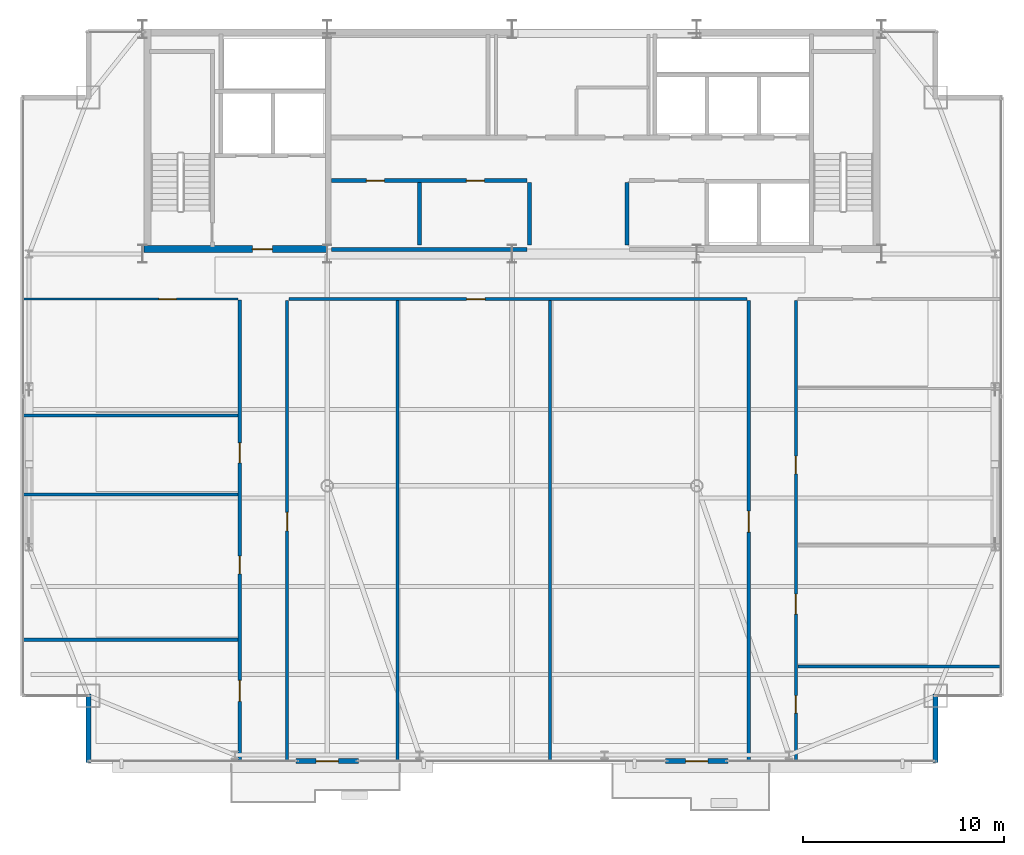
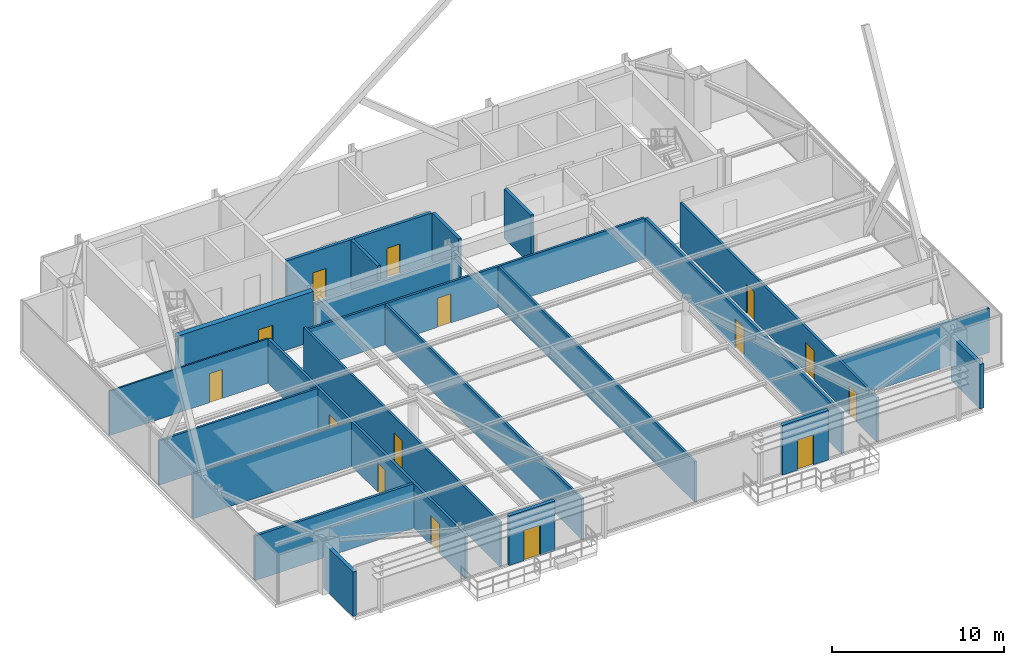
# One storey, part 27 of 31: 22 walls, 15 doors, 15 openings.
"""IFC4 building model written with IfcOpenShell, lengths in metres."""

from ifc_helpers import new_model, si_unit, direction, frame, frame_2d, origin, place, context, subcontext, project, spatial, rectangle, extrude, source, transform, mapped, material, layer, layer_set, type_object, type_shapes, element, fill, save


model = new_model("IFC4")

# Units and contexts
model_context = context("Model", 3, precision=1e-05, world=origin(), true_north=direction((0.0, 1.0)))
body_context = subcontext(model_context, "Body", "Model", "MODEL_VIEW")
ifc_project = project(units=[si_unit("LENGTHUNIT", "METRE"), si_unit("AREAUNIT", "SQUARE_METRE"), si_unit("VOLUMEUNIT", "CUBIC_METRE"), si_unit("PLANEANGLEUNIT", "RADIAN"), si_unit("MASSUNIT", "GRAM", prefix="KILO")], contexts=[model_context])

# Site, building, storey
site_placement = place(None, origin())
site = spatial("IfcSite", under=ifc_project, at=site_placement, CompositionType="ELEMENT")
building_placement = place(site_placement, origin())
building = spatial("IfcBuilding", under=site, at=building_placement, Name="Varnel Quay Broadcast Tower", CompositionType="ELEMENT")
storey_placement = place(building_placement, frame((0.0, 0.0, 215.0)))
storey = spatial("IfcBuildingStorey", under=building, at=storey_placement, Name="L53", CompositionType="ELEMENT", Elevation=215.0)

# Wall, opening, door
ifc_material_1 = material(Name="Concrete CSA A23.3 C50/60", Category="concrete")
ifc_layer_1 = layer(ifc_material_1, 0.35009765625, Name="Concrete CSA A23.3 C50/60")
ifc_layer_set_1 = layer_set([ifc_layer_1], Name="Concrete CSA A23.3 C50/60")
wall_type_1 = type_object("IfcWallType", Name="Wall_CoreShearInt350", PredefinedType="SHEAR", material=ifc_layer_set_1)
wall_1_placement = place(storey_placement, frame((15.669921875, 35.844970703125, 0.0), z_axis=(0.0, 0.0, 1.0), x_axis=(1.0, 0.0, 0.0)))
wall_1 = element("IfcWall", 1, at=wall_1_placement, inside=storey, type_object=wall_type_1, Name="L53 South-West Core Shear Wall", PredefinedType="SHEAR", context=body_context, shape_type="SweptSolid", body=[
    extrude(rectangle(XDim=9.130126953125, YDim=0.35009765625, at=frame_2d((4.56494140625, 0.0))), origin(), (0.0, 0.0, 1.0), 3.550048828125),
])
opening_1_placement = place(wall_1_placement, frame((5.39990234375, 0.0, 0.0)))
opening_1 = element("IfcOpeningElement", 2, at=opening_1_placement, cuts=wall_1, Name="Opening D-L53-FFL", PredefinedType="OPENING", context=body_context, shape_type="SweptSolid", body=[
    extrude(rectangle(XDim=1.0, YDim=2.10009765625, at=frame_2d((0.5, 1.050048828125))), frame((0.0, 0.18505859375, 0.0), z_axis=(0.0, -1.0, 0.0), x_axis=(1.0, 0.0, 0.0)), (0.0, 0.0, 1.0), 0.3701171875),
])
ifc_material_2 = material(Name="Insulated Fire-Rated Hollow Steel Door", Category="steel")
door_type_1 = type_object("IfcDoorType", Name="Door_FireLobby1000", OperationType="NOTDEFINED", PredefinedType="DOOR", material=ifc_material_2)
shared_shape_1 = source(origin(), body_context, "Body", "SweptSolid", [
    extrude(rectangle(XDim=1.0, YDim=2.10009765625, at=frame_2d((0.5, 1.050048828125))), frame((0.0, 0.02490234375, 0.0), z_axis=(0.0, -1.0, 0.0), x_axis=(1.0, 0.0, 0.0)), (0.0, 0.0, 1.0), 0.050048828125),
])
type_shapes(door_type_1, [shared_shape_1])
door_1_placement = place(opening_1_placement, origin())
door_1 = element("IfcDoor", 3, at=door_1_placement, inside=storey, type_object=door_type_1, Name="L53 Firefighting Lobby Door", OperationType="SINGLE_SWING_LEFT", OverallHeight=2.10009765625, OverallWidth=1.0, PredefinedType="DOOR", context=body_context, shape_type="MappedRepresentation", body=[
    mapped(shared_shape_1, transform((0.0, 0.0, 0.0), x_axis=(1.0, 0.0, 0.0), y_axis=(0.0, 1.0, 0.0), z_axis=(0.0, 0.0, 1.0), scale=1.0)),
])
fill(opening_1, door_1)

ifc_material_3 = material(Name="Precast Architectural Concrete C40/50", Category="concrete")
ifc_layer_2 = layer(ifc_material_3, 0.25, Name="Precast Architectural Concrete C40/50")
ifc_layer_set_2 = layer_set([ifc_layer_2], Name="Precast Architectural Concrete C40/50")
wall_type_2 = type_object("IfcWallType", Name="Wall_ExtTerrace250", PredefinedType="SOLIDWALL", material=ifc_layer_set_2)
wall_2_placement = place(storey_placement, frame((23.25, 10.35009765625, 0.0), z_axis=(0.0, 0.0, 1.0), x_axis=(1.0, 0.0, 0.0)))
wall_2 = element("IfcWall", 4, at=wall_2_placement, inside=storey, type_object=wall_type_2, Name="L53 Terrace Access Wall 1", PredefinedType="SOLIDWALL", context=body_context, shape_type="SweptSolid", body=[
    extrude(rectangle(XDim=3.10009765625, YDim=0.25, at=frame_2d((1.550048828125, 0.0))), origin(), (0.0, 0.0, 1.0), 3.530029296875),
])
opening_2_placement = place(wall_2_placement, frame((1.0, 0.0, 0.0)))
opening_2 = element("IfcOpeningElement", 5, at=opening_2_placement, cuts=wall_2, Name="Opening TD-531", PredefinedType="OPENING", context=body_context, shape_type="SweptSolid", body=[
    extrude(rectangle(XDim=1.10009765625, YDim=2.14990234375, at=frame_2d((0.550048828125, 1.074951171875))), frame((0.0, 0.135009765625, 0.0), z_axis=(0.0, -1.0, 0.0), x_axis=(1.0, 0.0, 0.0)), (0.0, 0.0, 1.0), 0.27001953125),
])
ifc_material_4 = material(Name="Anodised Bronze Aluminium 6063-T6", Category="aluminium")
door_type_2 = type_object("IfcDoorType", Name="Door_ExtTerrace1100", OperationType="NOTDEFINED", PredefinedType="DOOR", material=ifc_material_4)
shared_shape_2 = source(origin(), body_context, "Body", "SweptSolid", [
    extrude(rectangle(XDim=1.10009765625, YDim=2.14990234375, at=frame_2d((0.550048828125, 1.074951171875))), frame((0.0, 0.02490234375, 0.0), z_axis=(0.0, -1.0, 0.0), x_axis=(1.0, 0.0, 0.0)), (0.0, 0.0, 1.0), 0.050048828125),
])
type_shapes(door_type_2, [shared_shape_2])
door_2_placement = place(opening_2_placement, frame((1.10009765625, 0.0, 0.0), z_axis=(0.0, 0.0, 1.0), x_axis=(-1.0, 0.0, 0.0)))
door_2 = element("IfcDoor", 6, at=door_2_placement, inside=storey, type_object=door_type_2, Name="L53 Terrace Door TD-531", OperationType="SINGLE_SWING_LEFT", OverallHeight=2.14990234375, OverallWidth=1.10009765625, PredefinedType="DOOR", context=body_context, shape_type="MappedRepresentation", body=[
    mapped(shared_shape_2, transform((0.0, 0.0, 0.0), x_axis=(1.0, 0.0, 0.0), y_axis=(0.0, 1.0, 0.0), z_axis=(0.0, 0.0, 1.0), scale=1.0)),
])
fill(opening_2, door_2)

wall_3_placement = place(storey_placement, frame((41.64990234375, 10.35009765625, 0.0), z_axis=(0.0, 0.0, 1.0), x_axis=(1.0, 0.0, 0.0)))
wall_3 = element("IfcWall", 7, at=wall_3_placement, inside=storey, type_object=wall_type_2, Name="L53 Terrace Access Wall 2", PredefinedType="SOLIDWALL", context=body_context, shape_type="SweptSolid", body=[
    extrude(rectangle(XDim=3.10009765625, YDim=0.25, at=frame_2d((1.550048828125, 0.0))), origin(), (0.0, 0.0, 1.0), 3.530029296875),
])
opening_3_placement = place(wall_3_placement, frame((1.0, 0.0, 0.0)))
opening_3 = element("IfcOpeningElement", 8, at=opening_3_placement, cuts=wall_3, Name="Opening TD-532", PredefinedType="OPENING", context=body_context, shape_type="SweptSolid", body=[
    extrude(rectangle(XDim=1.10009765625, YDim=2.14990234375, at=frame_2d((0.550048828125, 1.074951171875))), frame((0.0, 0.135009765625, 0.0), z_axis=(0.0, -1.0, 0.0), x_axis=(1.0, 0.0, 0.0)), (0.0, 0.0, 1.0), 0.27001953125),
])
door_3_placement = place(opening_3_placement, frame((1.10009765625, 0.0, 0.0), z_axis=(0.0, 0.0, 1.0), x_axis=(-1.0, 0.0, 0.0)))
door_3 = element("IfcDoor", 9, at=door_3_placement, inside=storey, type_object=door_type_2, Name="L53 Terrace Door TD-532", OperationType="SINGLE_SWING_RIGHT", OverallHeight=2.14990234375, OverallWidth=1.10009765625, PredefinedType="DOOR", context=body_context, shape_type="MappedRepresentation", body=[
    mapped(shared_shape_2, transform((0.0, 0.0, 0.0), x_axis=(1.0, 0.0, 0.0), y_axis=(0.0, 1.0, 0.0), z_axis=(0.0, 0.0, 1.0), scale=1.0)),
])
fill(opening_3, door_3)

# Walls
for number, where, z_axis, x_axis, name in (
    (10, (12.89990234375, 10.280029296875, 0.0), (0.0, 0.0, 1.0), (0.0, 1.0, 0.0), "L53 Mega-Column Notch Cladding Wall NSW2"),
    (11, (55.10009765625, 10.280029296875, 0.0), (0.0, 0.0, 1.0), (0.0, 1.0, 0.0), "L53 Mega-Column Notch Cladding Wall NSE2"),
):
    element("IfcWall", number, at=place(storey_placement, frame(where, z_axis=z_axis, x_axis=x_axis)), inside=storey, type_object=wall_type_2, Name=name, PredefinedType="SOLIDWALL", context=body_context, shape_type="SweptSolid", body=[
        extrude(rectangle(XDim=3.39990234375, YDim=0.25, at=frame_2d((1.699951171875, 0.0))), origin(), (0.0, 0.0, 1.0), 3.1708984375),
    ])
ifc_material_5 = material(Name="Concrete Blockwork Fire Enclosure C40/50", Category="masonry")
ifc_layer_3 = layer(ifc_material_5, 0.199951171875, Name="Concrete Blockwork Fire Enclosure C40/50")
ifc_layer_set_3 = layer_set([ifc_layer_3], Name="Concrete Blockwork Fire Enclosure C40/50")
wall_type_3 = type_object("IfcWallType", Name="Wall_FireShaft200", PredefinedType="SOLIDWALL", material=ifc_layer_set_3)
wall_4_placement = place(storey_placement, frame((39.72509765625, 36.050048828125, 0.0), z_axis=(0.0, 0.0, 1.0), x_axis=(0.0, 1.0, 0.0)))
element("IfcWall", 12, at=wall_4_placement, inside=storey, type_object=wall_type_3, Name="L53 Electrical Sub-Distribution Closet Partition 7", PredefinedType="SOLIDWALL", context=body_context, shape_type="SweptSolid", body=[
    extrude(rectangle(XDim=3.099853515625, YDim=0.199951171875, at=frame_2d((1.5498046875, 0.0))), origin(), (0.0, 0.0, 1.0), 3.530029296875),
])

# Wall, opening, door
ifc_material_6 = material(Name="Steel-Stud Fire-Rated Acoustic Gypsum Partition Assembly", Category="steel")
ifc_layer_4 = layer(ifc_material_6, 0.10498046875, Name="Steel-Stud Fire-Rated Acoustic Gypsum Partition Assembly")
ifc_layer_set_4 = layer_set([ifc_layer_4], Name="Steel-Stud Fire-Rated Acoustic Gypsum Partition Assembly")
wall_type_4 = type_object("IfcWallType", Name="Wall_Partition105", PredefinedType="PARTITIONING", material=ifc_layer_set_4)
wall_5_placement = place(storey_placement, frame((9.679931640625, 33.35009765625, 0.0), z_axis=(0.0, 0.0, 1.0), x_axis=(1.0, 0.0, 0.0)))
wall_5 = element("IfcWall", 13, at=wall_5_placement, inside=storey, type_object=wall_type_4, Name="L53 Camera Locker Store 4 Partition 12", PredefinedType="PARTITIONING", context=body_context, shape_type="SweptSolid", body=[
    extrude(rectangle(XDim=10.670166015625, YDim=0.10498046875, at=frame_2d((5.3349609375, 0.0))), origin(), (0.0, 0.0, 1.0), 3.1708984375),
])
opening_4_placement = place(wall_5_placement, frame((6.72998046875, 0.0, 0.0)))
opening_4 = element("IfcOpeningElement", 14, at=opening_4_placement, cuts=wall_5, Name="Opening D-L53-07", PredefinedType="OPENING", context=body_context, shape_type="SweptSolid", body=[
    extrude(rectangle(XDim=0.8798828125, YDim=2.06005859375, at=frame_2d((0.43994140625, 1.030029296875))), frame((0.0, 0.0625, 0.0), z_axis=(0.0, -1.0, 0.0), x_axis=(1.0, 0.0, 0.0)), (0.0, 0.0, 1.0), 0.125),
])
ifc_material_7 = material(Name="Solid-Core Fire-Rated Acoustic Oak Veneer Door", Category="wood")
door_type_3 = type_object("IfcDoorType", Name="Door_Booth880", OperationType="NOTDEFINED", PredefinedType="DOOR", material=ifc_material_7)
shared_shape_3 = source(origin(), body_context, "Body", "SweptSolid", [
    extrude(rectangle(XDim=0.8798828125, YDim=2.06005859375, at=frame_2d((0.43994140625, 1.030029296875))), frame((0.0, 0.02490234375, 0.0), z_axis=(0.0, -1.0, 0.0), x_axis=(1.0, 0.0, 0.0)), (0.0, 0.0, 1.0), 0.050048828125),
])
type_shapes(door_type_3, [shared_shape_3])
door_4_placement = place(opening_4_placement, frame((0.8798828125, 0.0, 0.0), z_axis=(0.0, 0.0, 1.0), x_axis=(-1.0, 0.0, 0.0)))
door_4 = element("IfcDoor", 15, at=door_4_placement, inside=storey, type_object=door_type_3, Name="L53 Camera Locker Store 4 Door D-L53-07", OperationType="SINGLE_SWING_RIGHT", OverallHeight=2.06005859375, OverallWidth=0.8798828125, PredefinedType="DOOR", context=body_context, shape_type="MappedRepresentation", body=[
    mapped(shared_shape_3, transform((0.0, 0.0, 0.0), x_axis=(1.0, 0.0, 0.0), y_axis=(0.0, 1.0, 0.0), z_axis=(0.0, 0.0, 1.0), scale=1.0)),
])
fill(opening_4, door_4)

# Walls
ifc_layer_5 = layer(ifc_material_6, 0.139892578125, Name="Steel-Stud Fire-Rated Acoustic Gypsum Partition Assembly")
ifc_layer_set_5 = layer_set([ifc_layer_5], Name="Steel-Stud Fire-Rated Acoustic Gypsum Partition Assembly")
wall_type_5 = type_object("IfcWallType", Name="Wall_Partition140", PredefinedType="PARTITIONING", material=ifc_layer_set_5)
wall_6_placement = place(storey_placement, frame((9.679931640625, 27.56005859375, 0.0), z_axis=(0.0, 0.0, 1.0), x_axis=(1.0, 0.0, 0.0)))
element("IfcWall", 16, at=wall_6_placement, inside=storey, type_object=wall_type_5, Name="L53 Press Green Lounge 3 Partition 11", PredefinedType="PARTITIONING", context=body_context, shape_type="SweptSolid", body=[
    extrude(rectangle(XDim=10.670166015625, YDim=0.139892578125, at=frame_2d((5.3349609375, 0.0))), origin(), (0.0, 0.0, 1.0), 3.1708984375),
])
ifc_layer_6 = layer(ifc_material_6, 0.14990234375, Name="Steel-Stud Fire-Rated Acoustic Gypsum Partition Assembly")
ifc_layer_set_6 = layer_set([ifc_layer_6], Name="Steel-Stud Fire-Rated Acoustic Gypsum Partition Assembly")
wall_type_6 = type_object("IfcWallType", Name="Wall_Partition150", PredefinedType="PARTITIONING", material=ifc_layer_set_6)
wall_7_placement = place(storey_placement, frame((9.679931640625, 23.6298828125, 0.0), z_axis=(0.0, 0.0, 1.0), x_axis=(1.0, 0.0, 0.0)))
element("IfcWall", 17, at=wall_7_placement, inside=storey, type_object=wall_type_6, Name="L53 Break Kitchen 2 Partition 10", PredefinedType="PARTITIONING", context=body_context, shape_type="SweptSolid", body=[
    extrude(rectangle(XDim=10.670166015625, YDim=0.14990234375, at=frame_2d((5.3349609375, 0.0))), origin(), (0.0, 0.0, 1.0), 3.1708984375),
])
wall_8_placement = place(storey_placement, frame((28.300048828125, 10.3798828125, 0.0), z_axis=(0.0, 0.0, 1.0), x_axis=(0.0, 1.0, 0.0)))
element("IfcWall", 18, at=wall_8_placement, inside=storey, type_object=wall_type_6, Name="L53 Broadcast Newsroom 5 Partition 13", PredefinedType="PARTITIONING", context=body_context, shape_type="SweptSolid", body=[
    extrude(rectangle(XDim=22.89501953125, YDim=0.14990234375, at=frame_2d((11.447509765625, 0.0))), origin(), (0.0, 0.0, 1.0), 2.907958984375),
])

# Wall, opening, door
wall_9_placement = place(storey_placement, frame((22.89990234375, 33.35009765625, 0.0), z_axis=(0.0, 0.0, 1.0), x_axis=(1.0, 0.0, 0.0)))
wall_9 = element("IfcWall", 19, at=wall_9_placement, inside=storey, type_object=wall_type_6, Name="L53 Broadcast Newsroom 5 Partition 14", PredefinedType="PARTITIONING", context=body_context, shape_type="SweptSolid", body=[
    extrude(rectangle(XDim=22.7900390625, YDim=0.14990234375, at=frame_2d((11.39501953125, 0.0))), origin(), (0.0, 0.0, 1.0), 2.907958984375),
])
opening_5_placement = place(wall_9_placement, frame((8.840087890625, 0.0, 0.0)))
opening_5 = element("IfcOpeningElement", 20, at=opening_5_placement, cuts=wall_9, Name="Opening D-L53-09", PredefinedType="OPENING", context=body_context, shape_type="SweptSolid", body=[
    extrude(rectangle(XDim=0.919921875, YDim=2.080078125, at=frame_2d((0.4599609375, 1.0400390625))), frame((0.0, 0.0849609375, 0.0), z_axis=(0.0, -1.0, 0.0), x_axis=(1.0, 0.0, 0.0)), (0.0, 0.0, 1.0), 0.169921875),
])
door_type_4 = type_object("IfcDoorType", Name="Door_Office920", OperationType="NOTDEFINED", PredefinedType="DOOR", material=ifc_material_7)
shared_shape_4 = source(origin(), body_context, "Body", "SweptSolid", [
    extrude(rectangle(XDim=0.919921875, YDim=2.080078125, at=frame_2d((0.4599609375, 1.0400390625))), frame((0.0, 0.02490234375, 0.0), z_axis=(0.0, -1.0, 0.0), x_axis=(1.0, 0.0, 0.0)), (0.0, 0.0, 1.0), 0.050048828125),
])
type_shapes(door_type_4, [shared_shape_4])
door_5_placement = place(opening_5_placement, frame((0.919921875, 0.0, 0.0), z_axis=(0.0, 0.0, 1.0), x_axis=(-1.0, 0.0, 0.0)))
door_5 = element("IfcDoor", 21, at=door_5_placement, inside=storey, type_object=door_type_4, Name="L53 Assignment Desk 6 Door D-L53-09", OperationType="SINGLE_SWING_RIGHT", OverallHeight=2.080078125, OverallWidth=0.919921875, PredefinedType="DOOR", context=body_context, shape_type="MappedRepresentation", body=[
    mapped(shared_shape_4, transform((0.0, 0.0, 0.0), x_axis=(1.0, 0.0, 0.0), y_axis=(0.0, 1.0, 0.0), z_axis=(0.0, 0.0, 1.0), scale=1.0)),
])
fill(opening_5, door_5)

wall_10_placement = place(storey_placement, frame((22.800048828125, 10.3798828125, 0.0), z_axis=(0.0, 0.0, 1.0), x_axis=(0.0, 1.0, 0.0)))
wall_10 = element("IfcWall", 22, at=wall_10_placement, inside=storey, type_object=wall_type_6, Name="L53 Broadcast Newsroom 5 Partition 15", PredefinedType="PARTITIONING", context=body_context, shape_type="SweptSolid", body=[
    extrude(rectangle(XDim=22.89501953125, YDim=0.14990234375, at=frame_2d((11.447509765625, 0.0))), origin(), (0.0, 0.0, 1.0), 3.1708984375),
])
opening_6_placement = place(wall_10_placement, frame((11.429931640625, 0.0, 0.0)))
opening_6 = element("IfcOpeningElement", 23, at=opening_6_placement, cuts=wall_10, Name="Opening D-L53-08", PredefinedType="OPENING", context=body_context, shape_type="SweptSolid", body=[
    extrude(rectangle(XDim=0.919921875, YDim=2.080078125, at=frame_2d((0.4599609375, 1.0400390625))), frame((0.0, 0.0849609375, 0.0), z_axis=(0.0, -1.0, 0.0), x_axis=(1.0, 0.0, 0.0)), (0.0, 0.0, 1.0), 0.169921875),
])
door_6_placement = place(opening_6_placement, frame((0.919921875, 0.0, 0.0), z_axis=(0.0, 0.0, 1.0), x_axis=(-1.0, 0.0, 0.0)))
door_6 = element("IfcDoor", 24, at=door_6_placement, inside=storey, type_object=door_type_4, Name="L53 Broadcast Newsroom 5 Door D-L53-08", OperationType="SINGLE_SWING_LEFT", OverallHeight=2.080078125, OverallWidth=0.919921875, PredefinedType="DOOR", context=body_context, shape_type="MappedRepresentation", body=[
    mapped(shared_shape_4, transform((0.0, 0.0, 0.0), x_axis=(1.0, 0.0, 0.0), y_axis=(0.0, 1.0, 0.0), z_axis=(0.0, 0.0, 1.0), scale=1.0)),
])
fill(opening_6, door_6)

# Walls
wall_11_placement = place(storey_placement, frame((35.89990234375, 10.3798828125, 0.0), z_axis=(0.0, 0.0, 1.0), x_axis=(0.0, 1.0, 0.0)))
element("IfcWall", 25, at=wall_11_placement, inside=storey, type_object=wall_type_6, Name="L53 Assignment Desk 6 Partition 16", PredefinedType="PARTITIONING", context=body_context, shape_type="SweptSolid", body=[
    extrude(rectangle(XDim=22.89501953125, YDim=0.14990234375, at=frame_2d((11.447509765625, 0.0))), origin(), (0.0, 0.0, 1.0), 2.907958984375),
])
wall_12_placement = place(storey_placement, frame((48.239990234375, 15.050048828125, 0.0), z_axis=(0.0, 0.0, 1.0), x_axis=(1.0, 0.0, 0.0)))
element("IfcWall", 26, at=wall_12_placement, inside=storey, type_object=wall_type_6, Name="L53 Break Kitchen 8 Partition 18", PredefinedType="PARTITIONING", context=body_context, shape_type="SweptSolid", body=[
    extrude(rectangle(XDim=10.080078125, YDim=0.14990234375, at=frame_2d((5.0400390625, 0.0))), origin(), (0.0, 0.0, 1.0), 3.1708984375),
])

# Wall, openings, doors
wall_13_placement = place(storey_placement, frame((48.139892578125, 10.3798828125, 0.0), z_axis=(0.0, 0.0, 1.0), x_axis=(0.0, 1.0, 0.0)))
wall_13 = element("IfcWall", 27, at=wall_13_placement, inside=storey, type_object=wall_type_6, Name="L53 Break Kitchen 8 Partition 19", PredefinedType="PARTITIONING", context=body_context, shape_type="SweptSolid", body=[
    extrude(rectangle(XDim=22.89501953125, YDim=0.14990234375, at=frame_2d((11.447509765625, 0.0))), origin(), (0.0, 0.0, 1.0), 3.1708984375),
])
opening_7_placement = place(wall_13_placement, frame((2.35009765625, 0.0, 0.0)))
opening_7 = element("IfcOpeningElement", 28, at=opening_7_placement, cuts=wall_13, Name="Opening D-L53-11", PredefinedType="OPENING", context=body_context, shape_type="SweptSolid", body=[
    extrude(rectangle(XDim=0.8798828125, YDim=2.06005859375, at=frame_2d((0.43994140625, 1.030029296875))), frame((0.0, 0.0849609375, 0.0), z_axis=(0.0, -1.0, 0.0), x_axis=(1.0, 0.0, 0.0)), (0.0, 0.0, 1.0), 0.169921875),
])
opening_8_placement = place(wall_13_placement, frame((7.284912109375, 0.0, 0.0)))
opening_8 = element("IfcOpeningElement", 29, at=opening_8_placement, cuts=wall_13, Name="Opening D-L53-12", PredefinedType="OPENING", context=body_context, shape_type="SweptSolid", body=[
    extrude(rectangle(XDim=1.0, YDim=2.10009765625, at=frame_2d((0.5, 1.050048828125))), frame((0.0, 0.0849609375, 0.0), z_axis=(0.0, -1.0, 0.0), x_axis=(1.0, 0.0, 0.0)), (0.0, 0.0, 1.0), 0.169921875),
])
opening_9_placement = place(wall_13_placement, frame((14.27001953125, 0.0, 0.0)))
opening_9 = element("IfcOpeningElement", 30, at=opening_9_placement, cuts=wall_13, Name="Opening D-L53-13", PredefinedType="OPENING", context=body_context, shape_type="SweptSolid", body=[
    extrude(rectangle(XDim=0.8798828125, YDim=2.06005859375, at=frame_2d((0.43994140625, 1.030029296875))), frame((0.0, 0.0849609375, 0.0), z_axis=(0.0, -1.0, 0.0), x_axis=(1.0, 0.0, 0.0)), (0.0, 0.0, 1.0), 0.169921875),
])
door_7_placement = place(opening_7_placement, frame((0.8798828125, 0.0, 0.0), z_axis=(0.0, 0.0, 1.0), x_axis=(-1.0, 0.0, 0.0)))
door_7 = element("IfcDoor", 31, at=door_7_placement, inside=storey, type_object=door_type_3, Name="L53 Break Kitchen 8 Door D-L53-11", OperationType="SINGLE_SWING_RIGHT", OverallHeight=2.06005859375, OverallWidth=0.8798828125, PredefinedType="DOOR", context=body_context, shape_type="MappedRepresentation", body=[
    mapped(shared_shape_3, transform((0.0, 0.0, 0.0), x_axis=(1.0, 0.0, 0.0), y_axis=(0.0, 1.0, 0.0), z_axis=(0.0, 0.0, 1.0), scale=1.0)),
])
fill(opening_7, door_7)
door_8_placement = place(opening_9_placement, frame((0.8798828125, 0.0, 0.0), z_axis=(0.0, 0.0, 1.0), x_axis=(-1.0, 0.0, 0.0)))
door_8 = element("IfcDoor", 32, at=door_8_placement, inside=storey, type_object=door_type_3, Name="L53 Camera Locker Store 10 Door D-L53-13", OperationType="SINGLE_SWING_RIGHT", OverallHeight=2.06005859375, OverallWidth=0.8798828125, PredefinedType="DOOR", context=body_context, shape_type="MappedRepresentation", body=[
    mapped(shared_shape_3, transform((0.0, 0.0, 0.0), x_axis=(1.0, 0.0, 0.0), y_axis=(0.0, 1.0, 0.0), z_axis=(0.0, 0.0, 1.0), scale=1.0)),
])
fill(opening_9, door_8)
door_type_5 = type_object("IfcDoorType", Name="Door_Exec1000", OperationType="NOTDEFINED", PredefinedType="DOOR", material=ifc_material_7)
shared_shape_5 = source(origin(), body_context, "Body", "SweptSolid", [
    extrude(rectangle(XDim=1.0, YDim=2.10009765625, at=frame_2d((0.5, 1.050048828125))), frame((0.0, 0.02490234375, 0.0), z_axis=(0.0, -1.0, 0.0), x_axis=(1.0, 0.0, 0.0)), (0.0, 0.0, 1.0), 0.050048828125),
])
type_shapes(door_type_5, [shared_shape_5])
door_9_placement = place(opening_8_placement, frame((1.0, 0.0, 0.0), z_axis=(0.0, 0.0, 1.0), x_axis=(-1.0, 0.0, 0.0)))
door_9 = element("IfcDoor", 33, at=door_9_placement, inside=storey, type_object=door_type_5, Name="L53 Press Green Lounge 9 Door D-L53-12", OperationType="SINGLE_SWING_LEFT", OverallHeight=2.10009765625, OverallWidth=1.0, PredefinedType="DOOR", context=body_context, shape_type="MappedRepresentation", body=[
    mapped(shared_shape_5, transform((0.0, 0.0, 0.0), x_axis=(1.0, 0.0, 0.0), y_axis=(0.0, 1.0, 0.0), z_axis=(0.0, 0.0, 1.0), scale=1.0)),
])
fill(opening_8, door_9)

ifc_layer_7 = layer(ifc_material_6, 0.175048828125, Name="Steel-Stud Fire-Rated Acoustic Gypsum Partition Assembly")
ifc_layer_set_7 = layer_set([ifc_layer_7], Name="Steel-Stud Fire-Rated Acoustic Gypsum Partition Assembly")
wall_type_7 = type_object("IfcWallType", Name="Wall_Partition175", PredefinedType="PARTITIONING", material=ifc_layer_set_7)
wall_14_placement = place(storey_placement, frame((20.449951171875, 10.3798828125, 0.0), z_axis=(0.0, 0.0, 1.0), x_axis=(0.0, 1.0, 0.0)))
wall_14 = element("IfcWall", 34, at=wall_14_placement, inside=storey, type_object=wall_type_7, Name="L53 Editorial Boardroom 1 Partition 8", PredefinedType="PARTITIONING", context=body_context, shape_type="SweptSolid", body=[
    extrude(rectangle(XDim=22.917236328125, YDim=0.175048828125, at=frame_2d((11.45849609375, 0.0))), origin(), (0.0, 0.0, 1.0), 3.1708984375),
])
opening_10_placement = place(wall_14_placement, frame((2.93505859375, 0.0, 0.0)))
opening_10 = element("IfcOpeningElement", 35, at=opening_10_placement, cuts=wall_14, Name="Opening D-L53-04", PredefinedType="OPENING", context=body_context, shape_type="SweptSolid", body=[
    extrude(rectangle(XDim=1.050048828125, YDim=2.10009765625, at=frame_2d((0.52490234375, 1.050048828125))), frame((0.0, 0.09765625, 0.0), z_axis=(0.0, -1.0, 0.0), x_axis=(1.0, 0.0, 0.0)), (0.0, 0.0, 1.0), 0.195068359375),
])
opening_11_placement = place(wall_14_placement, frame((9.2900390625, 0.0, 0.0)))
opening_11 = element("IfcOpeningElement", 36, at=opening_11_placement, cuts=wall_14, Name="Opening D-L53-05", PredefinedType="OPENING", context=body_context, shape_type="SweptSolid", body=[
    extrude(rectangle(XDim=0.8798828125, YDim=2.06005859375, at=frame_2d((0.43994140625, 1.030029296875))), frame((0.0, 0.09765625, 0.0), z_axis=(0.0, -1.0, 0.0), x_axis=(1.0, 0.0, 0.0)), (0.0, 0.0, 1.0), 0.195068359375),
])
opening_12_placement = place(wall_14_placement, frame((14.81494140625, 0.0, 0.0)))
opening_12 = element("IfcOpeningElement", 37, at=opening_12_placement, cuts=wall_14, Name="Opening D-L53-06", PredefinedType="OPENING", context=body_context, shape_type="SweptSolid", body=[
    extrude(rectangle(XDim=1.0, YDim=2.10009765625, at=frame_2d((0.5, 1.050048828125))), frame((0.0, 0.09765625, 0.0), z_axis=(0.0, -1.0, 0.0), x_axis=(1.0, 0.0, 0.0)), (0.0, 0.0, 1.0), 0.195068359375),
])
door_10_placement = place(opening_11_placement, origin())
door_10 = element("IfcDoor", 38, at=door_10_placement, inside=storey, type_object=door_type_3, Name="L53 Break Kitchen 2 Door D-L53-05", OperationType="SINGLE_SWING_RIGHT", OverallHeight=2.06005859375, OverallWidth=0.8798828125, PredefinedType="DOOR", context=body_context, shape_type="MappedRepresentation", body=[
    mapped(shared_shape_3, transform((0.0, 0.0, 0.0), x_axis=(1.0, 0.0, 0.0), y_axis=(0.0, 1.0, 0.0), z_axis=(0.0, 0.0, 1.0), scale=1.0)),
])
fill(opening_11, door_10)
door_11_placement = place(opening_12_placement, origin())
door_11 = element("IfcDoor", 39, at=door_11_placement, inside=storey, type_object=door_type_5, Name="L53 Press Green Lounge 3 Door D-L53-06", OperationType="SINGLE_SWING_LEFT", OverallHeight=2.10009765625, OverallWidth=1.0, PredefinedType="DOOR", context=body_context, shape_type="MappedRepresentation", body=[
    mapped(shared_shape_5, transform((0.0, 0.0, 0.0), x_axis=(1.0, 0.0, 0.0), y_axis=(0.0, 1.0, 0.0), z_axis=(0.0, 0.0, 1.0), scale=1.0)),
])
fill(opening_12, door_11)
door_type_6 = type_object("IfcDoorType", Name="Door_Meeting1050", OperationType="NOTDEFINED", PredefinedType="DOOR", material=ifc_material_7)
shared_shape_6 = source(origin(), body_context, "Body", "SweptSolid", [
    extrude(rectangle(XDim=1.050048828125, YDim=2.10009765625, at=frame_2d((0.52490234375, 1.050048828125))), frame((0.0, 0.02490234375, 0.0), z_axis=(0.0, -1.0, 0.0), x_axis=(1.0, 0.0, 0.0)), (0.0, 0.0, 1.0), 0.050048828125),
])
type_shapes(door_type_6, [shared_shape_6])
door_12_placement = place(opening_10_placement, origin())
door_12 = element("IfcDoor", 40, at=door_12_placement, inside=storey, type_object=door_type_6, Name="L53 Editorial Boardroom 1 Door D-L53-04", OperationType="SINGLE_SWING_LEFT", OverallHeight=2.10009765625, OverallWidth=1.050048828125, PredefinedType="DOOR", context=body_context, shape_type="MappedRepresentation", body=[
    mapped(shared_shape_6, transform((0.0, 0.0, 0.0), x_axis=(1.0, 0.0, 0.0), y_axis=(0.0, 1.0, 0.0), z_axis=(0.0, 0.0, 1.0), scale=1.0)),
])
fill(opening_10, door_12)

# Wall
wall_15_placement = place(storey_placement, frame((9.679931640625, 16.389892578125, 0.0), z_axis=(0.0, 0.0, 1.0), x_axis=(1.0, 0.0, 0.0)))
element("IfcWall", 41, at=wall_15_placement, inside=storey, type_object=wall_type_7, Name="L53 Editorial Boardroom 1 Partition 9", PredefinedType="PARTITIONING", context=body_context, shape_type="SweptSolid", body=[
    extrude(rectangle(XDim=10.670166015625, YDim=0.175048828125, at=frame_2d((5.3349609375, 0.0))), origin(), (0.0, 0.0, 1.0), 3.1708984375),
])

# Wall, opening, door
wall_16_placement = place(storey_placement, frame((45.7900390625, 10.3798828125, 0.0), z_axis=(0.0, 0.0, 1.0), x_axis=(0.0, 1.0, 0.0)))
wall_16 = element("IfcWall", 42, at=wall_16_placement, inside=storey, type_object=wall_type_7, Name="L53 Editorial Boardroom 7 Partition 17", PredefinedType="PARTITIONING", context=body_context, shape_type="SweptSolid", body=[
    extrude(rectangle(XDim=22.89501953125, YDim=0.175048828125, at=frame_2d((11.447509765625, 0.0))), origin(), (0.0, 0.0, 1.0), 2.907958984375),
])
opening_13_placement = place(wall_16_placement, frame((11.364990234375, 0.0, 0.0)))
opening_13 = element("IfcOpeningElement", 43, at=opening_13_placement, cuts=wall_16, Name="Opening D-L53-10", PredefinedType="OPENING", context=body_context, shape_type="SweptSolid", body=[
    extrude(rectangle(XDim=1.050048828125, YDim=2.10009765625, at=frame_2d((0.52490234375, 1.050048828125))), frame((0.0, 0.09765625, 0.0), z_axis=(0.0, -1.0, 0.0), x_axis=(1.0, 0.0, 0.0)), (0.0, 0.0, 1.0), 0.195068359375),
])
door_13_placement = place(opening_13_placement, origin())
door_13 = element("IfcDoor", 44, at=door_13_placement, inside=storey, type_object=door_type_6, Name="L53 Editorial Boardroom 7 Door D-L53-10", OperationType="SINGLE_SWING_LEFT", OverallHeight=2.10009765625, OverallWidth=1.050048828125, PredefinedType="DOOR", context=body_context, shape_type="MappedRepresentation", body=[
    mapped(shared_shape_6, transform((0.0, 0.0, 0.0), x_axis=(1.0, 0.0, 0.0), y_axis=(0.0, 1.0, 0.0), z_axis=(0.0, 0.0, 1.0), scale=1.0)),
])
fill(opening_13, door_13)

# Walls
ifc_material_8 = material(Name="Fire-Rated Moisture-Resistant Plumbing Chase Partition")
ifc_layer_8 = layer(ifc_material_8, 0.199951171875, Name="Fire-Rated Moisture-Resistant Plumbing Chase Partition")
ifc_layer_set_8 = layer_set([ifc_layer_8], Name="Fire-Rated Moisture-Resistant Plumbing Chase Partition")
wall_type_8 = type_object("IfcWallType", Name="Wall_Plumbing200", PredefinedType="PLUMBINGWALL", material=ifc_layer_set_8)
wall_17_placement = place(storey_placement, frame((25.0, 35.824951171875, 0.0), z_axis=(0.0, 0.0, 1.0), x_axis=(1.0, 0.0, 0.0)))
element("IfcWall", 45, at=wall_17_placement, inside=storey, type_object=wall_type_8, Name="L53 Accessible Washroom Partition 1", PredefinedType="PLUMBINGWALL", context=body_context, shape_type="SweptSolid", body=[
    extrude(rectangle(XDim=9.75, YDim=0.199951171875, at=frame_2d((4.875, 0.0))), origin(), (0.0, 0.0, 1.0), 2.574951171875),
])
wall_18_placement = place(storey_placement, frame((29.39990234375, 36.050048828125, 0.0), z_axis=(0.0, 0.0, 1.0), x_axis=(0.0, 1.0, 0.0)))
element("IfcWall", 46, at=wall_18_placement, inside=storey, type_object=wall_type_8, Name="L53 Accessible Washroom Partition 2", PredefinedType="PLUMBINGWALL", context=body_context, shape_type="SweptSolid", body=[
    extrude(rectangle(XDim=3.099853515625, YDim=0.199951171875, at=frame_2d((1.5498046875, 0.0))), origin(), (0.0, 0.0, 1.0), 3.530029296875),
])

# Wall, openings, doors
wall_19_placement = place(storey_placement, frame((25.0, 39.25, 0.0), z_axis=(0.0, 0.0, 1.0), x_axis=(1.0, 0.0, 0.0)))
wall_19 = element("IfcWall", 47, at=wall_19_placement, inside=storey, type_object=wall_type_8, Name="L53 Accessible Washroom Partition 3", PredefinedType="PLUMBINGWALL", context=body_context, shape_type="SweptSolid", body=[
    extrude(rectangle(XDim=9.75, YDim=0.199951171875, at=frame_2d((4.875, 0.0))), origin(), (0.0, 0.0, 1.0), 3.530029296875),
])
opening_14_placement = place(wall_19_placement, frame((1.75, 0.0, 0.0)))
opening_14 = element("IfcOpeningElement", 48, at=opening_14_placement, cuts=wall_19, Name="Opening D-L53-01", PredefinedType="OPENING", context=body_context, shape_type="SweptSolid", body=[
    extrude(rectangle(XDim=0.89990234375, YDim=2.06005859375, at=frame_2d((0.449951171875, 1.030029296875))), frame((0.0, 0.10986328125, 0.0), z_axis=(0.0, -1.0, 0.0), x_axis=(1.0, 0.0, 0.0)), (0.0, 0.0, 1.0), 0.219970703125),
])
opening_15_placement = place(wall_19_placement, frame((6.72509765625, 0.0, 0.0)))
opening_15 = element("IfcOpeningElement", 49, at=opening_15_placement, cuts=wall_19, Name="Opening D-L53-02", PredefinedType="OPENING", context=body_context, shape_type="SweptSolid", body=[
    extrude(rectangle(XDim=0.89990234375, YDim=2.06005859375, at=frame_2d((0.449951171875, 1.030029296875))), frame((0.0, 0.10986328125, 0.0), z_axis=(0.0, -1.0, 0.0), x_axis=(1.0, 0.0, 0.0)), (0.0, 0.0, 1.0), 0.219970703125),
])
door_type_7 = type_object("IfcDoorType", Name="Door_Washroom900", OperationType="NOTDEFINED", PredefinedType="DOOR", material=ifc_material_7)
shared_shape_7 = source(origin(), body_context, "Body", "SweptSolid", [
    extrude(rectangle(XDim=0.89990234375, YDim=2.06005859375, at=frame_2d((0.449951171875, 1.030029296875))), frame((0.0, 0.02490234375, 0.0), z_axis=(0.0, -1.0, 0.0), x_axis=(1.0, 0.0, 0.0)), (0.0, 0.0, 1.0), 0.050048828125),
])
type_shapes(door_type_7, [shared_shape_7])
door_14_placement = place(opening_14_placement, frame((0.89990234375, 0.0, 0.0), z_axis=(0.0, 0.0, 1.0), x_axis=(-1.0, 0.0, 0.0)))
door_14 = element("IfcDoor", 50, at=door_14_placement, inside=storey, type_object=door_type_7, Name="L53 Accessible Washroom Door D-L53-01", OperationType="SINGLE_SWING_RIGHT", OverallHeight=2.06005859375, OverallWidth=0.89990234375, PredefinedType="DOOR", context=body_context, shape_type="MappedRepresentation", body=[
    mapped(shared_shape_7, transform((0.0, 0.0, 0.0), x_axis=(1.0, 0.0, 0.0), y_axis=(0.0, 1.0, 0.0), z_axis=(0.0, 0.0, 1.0), scale=1.0)),
])
fill(opening_14, door_14)
door_15_placement = place(opening_15_placement, frame((0.89990234375, 0.0, 0.0), z_axis=(0.0, 0.0, 1.0), x_axis=(-1.0, 0.0, 0.0)))
door_15 = element("IfcDoor", 51, at=door_15_placement, inside=storey, type_object=door_type_7, Name="L53 Staff Washrooms Door D-L53-02", OperationType="SINGLE_SWING_LEFT", OverallHeight=2.06005859375, OverallWidth=0.89990234375, PredefinedType="DOOR", context=body_context, shape_type="MappedRepresentation", body=[
    mapped(shared_shape_7, transform((0.0, 0.0, 0.0), x_axis=(1.0, 0.0, 0.0), y_axis=(0.0, 1.0, 0.0), z_axis=(0.0, 0.0, 1.0), scale=1.0)),
])
fill(opening_15, door_15)

# Wall
wall_20_placement = place(storey_placement, frame((34.875, 36.050048828125, 0.0), z_axis=(0.0, 0.0, 1.0), x_axis=(0.0, 1.0, 0.0)))
element("IfcWall", 52, at=wall_20_placement, inside=storey, type_object=wall_type_8, Name="L53 Staff Washrooms Partition 4", PredefinedType="PLUMBINGWALL", context=body_context, shape_type="SweptSolid", body=[
    extrude(rectangle(XDim=3.099853515625, YDim=0.199951171875, at=frame_2d((1.5498046875, 0.0))), origin(), (0.0, 0.0, 1.0), 3.530029296875),
])

save(model, "model.ifc")
